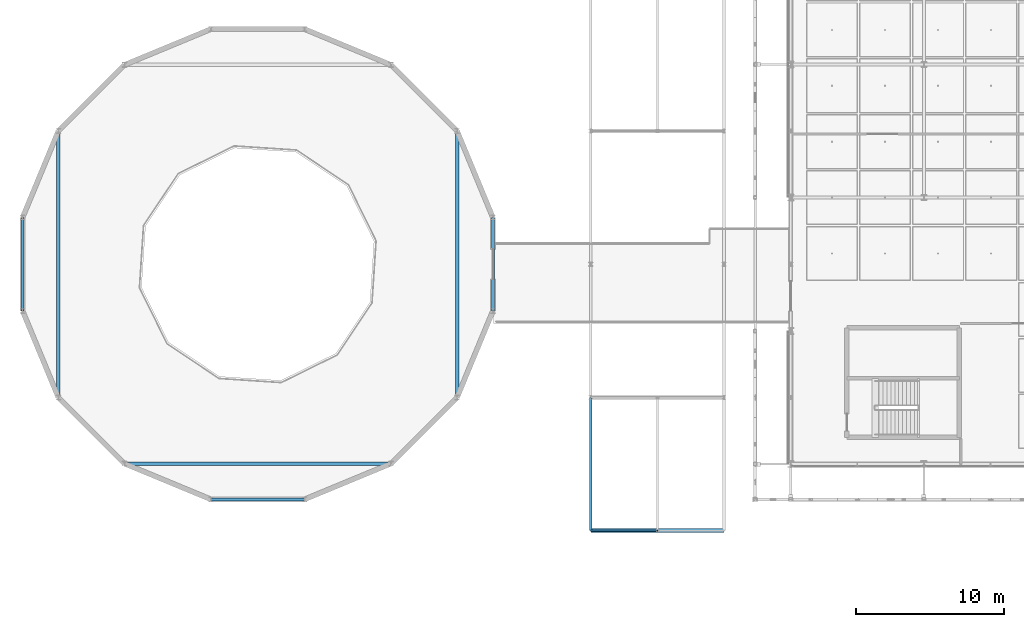
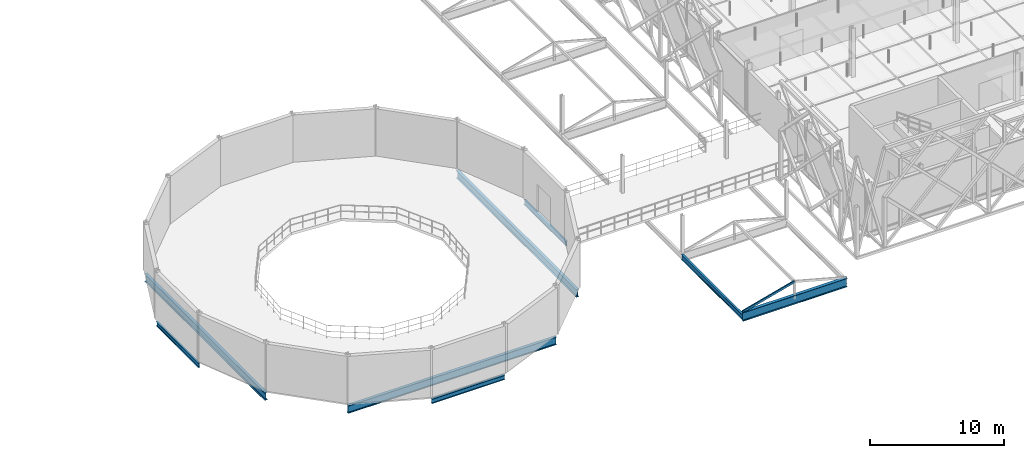
# One storey, part 19 of 140: 8 beams, 1 member.
"""IFC4 building model written with IfcOpenShell, lengths in metres."""

from ifc_helpers import new_model, si_unit, direction, frame, origin, origin_2d, place, context, subcontext, project, spatial, hollow_rectangle, i_section, extrude, material, material_profile, profile_set, type_object, element, save


model = new_model("IFC4")

# Units and contexts
model_context = context("Model", 3, precision=1e-05, world=origin(), true_north=direction((0.0, 1.0)))
body_context = subcontext(model_context, "Body", "Model", "MODEL_VIEW")
ifc_project = project(units=[si_unit("LENGTHUNIT", "METRE"), si_unit("AREAUNIT", "SQUARE_METRE"), si_unit("VOLUMEUNIT", "CUBIC_METRE"), si_unit("PLANEANGLEUNIT", "RADIAN"), si_unit("MASSUNIT", "GRAM", prefix="KILO"), si_unit("THERMODYNAMICTEMPERATUREUNIT", "KELVIN"), si_unit("POWERUNIT", "WATT")], contexts=[model_context])

# Site, building, storey
site_placement = place(None, origin())
site = spatial("IfcSite", under=ifc_project, at=site_placement, CompositionType="ELEMENT")
building_placement = place(site_placement, origin())
building = spatial("IfcBuilding", under=site, at=building_placement, Name="Tallowbark Science Centre", CompositionType="ELEMENT")
storey_placement = place(building_placement, frame((0.0, 0.0, 9.89990234375)))
storey = spatial("IfcBuildingStorey", under=building, at=storey_placement, Name="L02", CompositionType="ELEMENT", Elevation=9.89990234375)

# Beams
ifc_material_1 = material(Name="Structural Steel Grade 300PLUS (300 MPa)", Category="steel")
ifc_material_profile_1 = material_profile(ifc_material_1, i_section(OverallWidth=0.177734375, OverallDepth=0.406494140625, WebThickness=0.0078125, FlangeThickness=0.0126953125, FilletRadius=0.011474609375, at=origin_2d()), Name="410UB59.7")
ifc_profile_set_1 = profile_set([ifc_material_profile_1], Name="Structural Steel Grade 300PLUS (300 MPa)")
beam_type_1 = type_object("IfcBeamType", Name="BM-UB410", PredefinedType="BEAM", material=ifc_profile_set_1)
for number, where, z_axis, x_axis, name in (
    (1, (19.339599609375, 2.111328125, -0.447998046875), (1.0, 0.0, 0.0), (0.0, 1.0, 0.0), "Primary Girder GRDX-L02-193-257-21"),
    (2, (6.611328125, 14.839599609375, -0.447998046875), (0.0, 1.0, 0.0), (-1.0, 0.0, 0.0), "Primary Girder GRDY-L02-66-148-212"),
    (3, (38.388671875, 14.839599609375, -0.447998046875), (0.0, 1.0, 0.0), (-1.0, 0.0, 0.0), "Primary Girder GRDY-L02-384-148-212"),
):
    element("IfcBeam", number, at=place(storey_placement, frame(where, z_axis=z_axis, x_axis=x_axis)), inside=storey, type_object=beam_type_1, Name=name, PredefinedType="BEAM", context=body_context, shape_type="SweptSolid", body=[
        extrude(i_section(OverallWidth=0.177734375, OverallDepth=0.406494140625, WebThickness=0.0078125, FlangeThickness=0.0126953125, FilletRadius=0.011474609375, at=origin_2d()), origin(), (0.0, 0.0, 1.0), 6.32080078125),
    ])
ifc_material_profile_2 = material_profile(ifc_material_1, i_section(OverallWidth=0.25, OverallDepth=0.699951171875, WebThickness=0.010009765625, FlangeThickness=0.02001953125, FilletRadius=0.013916015625, at=origin_2d()), Name="700WB130")
ifc_profile_set_2 = profile_set([ifc_material_profile_2], Name="Structural Steel Grade 300PLUS (300 MPa)")
beam_type_2 = type_object("IfcBeamType", Name="BM-WB700", PredefinedType="BEAM", material=ifc_profile_set_2)
for number, where, z_axis, x_axis, name in (
    (4, (13.499755859375, 4.5302734375, -0.594970703125), (1.0, 0.0, 0.0), (0.0, 1.0, 0.0), "Primary Girder GRDX-L02-135-315-45"),
    (5, (9.0302734375, 8.999755859375, -0.594970703125), (0.0, 1.0, 0.0), (-1.0, 0.0, 0.0), "Primary Girder GRDY-L02-90-90-270"),
    (6, (35.9697265625, 8.999755859375, -0.594970703125), (0.0, 1.0, 0.0), (-1.0, 0.0, 0.0), "Primary Girder GRDY-L02-360-90-270"),
):
    element("IfcBeam", number, at=place(storey_placement, frame(where, z_axis=z_axis, x_axis=x_axis)), inside=storey, type_object=beam_type_2, Name=name, PredefinedType="BEAM", context=body_context, shape_type="SweptSolid", body=[
        extrude(i_section(OverallWidth=0.25, OverallDepth=0.699951171875, WebThickness=0.010009765625, FlangeThickness=0.02001953125, FilletRadius=0.013916015625, at=origin_2d()), origin(), (0.0, 0.0, 1.0), 18.00048828125),
    ])
ifc_material_profile_3 = material_profile(ifc_material_1, i_section(OverallWidth=0.27490234375, OverallDepth=0.7919921875, WebThickness=0.011962890625, FlangeThickness=0.02001953125, FilletRadius=0.013916015625, at=origin_2d()), Name="800WB146")
ifc_profile_set_3 = profile_set([ifc_material_profile_3], Name="Structural Steel Grade 300PLUS (300 MPa)")
beam_type_3 = type_object("IfcBeamType", Name="BM-WB800", PredefinedType="BEAM", material=ifc_profile_set_3)
beam_1_placement = place(storey_placement, frame((45.0, 0.0, -0.39990234375), z_axis=(1.0, 0.0, 0.0), x_axis=(0.0, 1.0, 0.0)))
element("IfcBeam", 7, at=beam_1_placement, inside=storey, type_object=beam_type_3, Name="Passage Skylight Tie Beam 1", PredefinedType="BEAM", context=body_context, shape_type="SweptSolid", body=[
    extrude(i_section(OverallWidth=0.27490234375, OverallDepth=0.7919921875, WebThickness=0.011962890625, FlangeThickness=0.02001953125, FilletRadius=0.013916015625, at=origin_2d()), origin(), (0.0, 0.0, 1.0), 9.0),
])

# Member
ifc_material_2 = material(Name="Structural Steel Grade C350L0 (350 MPa)", Category="steel")
ifc_material_profile_4 = material_profile(ifc_material_2, hollow_rectangle(XDim=0.10009765625, YDim=0.199951171875, WallThickness=0.006103515625, at=origin_2d()), Name="200x100x6.0RHS")
ifc_profile_set_4 = profile_set([ifc_material_profile_4], Name="Structural Steel Grade C350L0 (350 MPa)")
member_type = type_object("IfcMemberType", Name="RFT-200RHS", PredefinedType="RAFTER", material=ifc_profile_set_4)
member_placement = place(storey_placement, frame((45.0, 0.0, 0.0), z_axis=(0.965923723713, 0.0, 0.258826891896), x_axis=(0.0, 1.0, 0.0)))
element("IfcMember", 8, at=member_placement, inside=storey, type_object=member_type, Name="Passage Skylight West Rafter 1", PredefinedType="RAFTER", context=body_context, shape_type="SweptSolid", body=[
    extrude(hollow_rectangle(XDim=0.10009765625, YDim=0.199951171875, WallThickness=0.006103515625, at=origin_2d()), origin(), (0.0, 0.0, 1.0), 4.65869140625),
])

# Beam
ifc_material_profile_5 = material_profile(ifc_material_1, i_section(OverallWidth=0.18994140625, OverallDepth=0.453857421875, WebThickness=0.008544921875, FlangeThickness=0.0126953125, FilletRadius=0.011474609375, at=origin_2d()), Name="460UB67.1")
ifc_profile_set_5 = profile_set([ifc_material_profile_5], Name="Structural Steel Grade 300PLUS (300 MPa)")
beam_type_4 = type_object("IfcBeamType", Name="SPN-UB460", PredefinedType="SPANDREL", material=ifc_profile_set_5)
beam_2_placement = place(storey_placement, frame((45.0, 0.0, -0.40673828125), z_axis=(0.0, 1.0, 0.0), x_axis=(-1.0, 0.0, 0.0)))
element("IfcBeam", 9, at=beam_2_placement, inside=storey, type_object=beam_type_4, Name="Primary Girder GRDY-L02-450-0-90", PredefinedType="SPANDREL", context=body_context, shape_type="SweptSolid", body=[
    extrude(i_section(OverallWidth=0.18994140625, OverallDepth=0.453857421875, WebThickness=0.008544921875, FlangeThickness=0.0126953125, FilletRadius=0.011474609375, at=origin_2d()), origin(), (0.0, 0.0, 1.0), 9.0),
])

save(model, "model.ifc")
